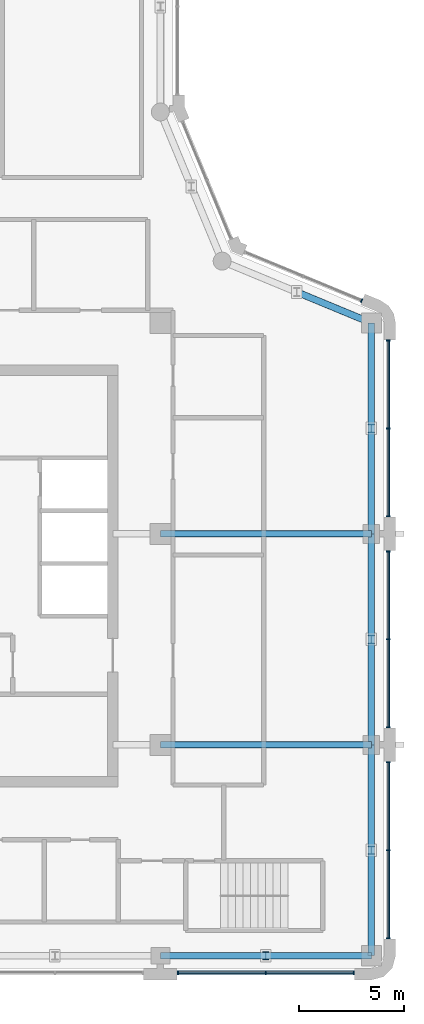
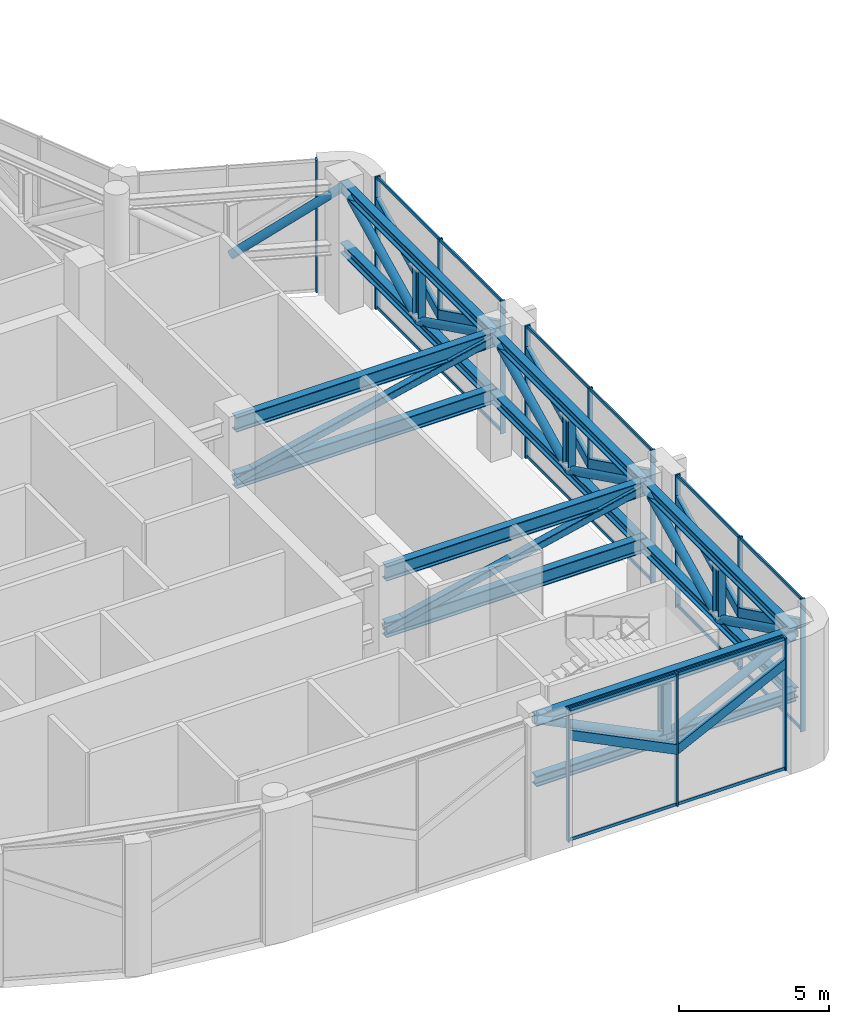
# One storey, part 5 of 18: 64 members, 5 elements without a shape of their own.
"""IFC4 building model written with IfcOpenShell, lengths in metres."""

from ifc_helpers import new_model, si_unit, direction, frame, origin, origin_2d, place, context, subcontext, project, spatial, polyline, rectangle, hollow_rectangle, hollow_circle, i_section, outline, extrude, material, layer, layer_set, material_profile, profile_set, type_object, element, aggregate, save


model = new_model("IFC4")

# Units and contexts
model_context = context("Model", 3, precision=1e-05, world=origin(), true_north=direction((0.0, 1.0)))
body_context = subcontext(model_context, "Body", "Model", "MODEL_VIEW")
ifc_project = project(units=[si_unit("LENGTHUNIT", "METRE"), si_unit("AREAUNIT", "SQUARE_METRE"), si_unit("VOLUMEUNIT", "CUBIC_METRE"), si_unit("PLANEANGLEUNIT", "RADIAN"), si_unit("MASSUNIT", "GRAM", prefix="KILO")], contexts=[model_context])

# Site, building, storey
site_placement = place(None, origin())
site = spatial("IfcSite", under=ifc_project, at=site_placement, CompositionType="ELEMENT")
building_placement = place(site_placement, origin())
building = spatial("IfcBuilding", under=site, at=building_placement, Name="Qaws Garden Tower", CompositionType="ELEMENT")
storey_placement = place(building_placement, frame((0.0, 0.0, 352.800048828125)))
storey = spatial("IfcBuildingStorey", under=building, at=storey_placement, Name="L86", CompositionType="ELEMENT", Elevation=352.800048828125)

# Members
ifc_material_1 = material(Name="Steel S355", Category="steel")
ifc_material_profile_1 = material_profile(ifc_material_1, i_section(OverallWidth=0.306884765625, OverallDepth=0.431884765625, WebThickness=0.02099609375, FlangeThickness=0.0400390625, FilletRadius=0.027099609375, at=origin_2d()), Name="HEM 400")
ifc_profile_set_1 = profile_set([ifc_material_profile_1], Name="Steel S355")
member_type_1 = type_object("IfcMemberType", Name="Belt chord HEM 400", PredefinedType="CHORD", material=ifc_profile_set_1)
for number, where, z_axis, x_axis, name in (
    (1, (30.0, 0.0, 4.783935546875), (1.0, 0.0, 0.0), (0.0, 1.0, 0.0), "Belt truss top chord 2"),
    (2, (30.0, 0.0, 2.31591796875), (1.0, 0.0, 0.0), (0.0, 1.0, 0.0), "Belt truss bottom chord 2"),
    (3, (40.0, 0.0, 4.783935546875), (0.0, 1.0, 0.0), (-1.0, 0.0, 0.0), "Belt truss top chord 3"),
    (4, (40.0, 0.0, 2.31591796875), (0.0, 1.0, 0.0), (-1.0, 0.0, 0.0), "Belt truss bottom chord 3"),
    (5, (40.0, 10.0, 4.783935546875), (0.0, 1.0, 0.0), (-1.0, 0.0, 0.0), "Belt truss top chord 4"),
    (6, (40.0, 10.0, 2.31591796875), (0.0, 1.0, 0.0), (-1.0, 0.0, 0.0), "Belt truss bottom chord 4"),
    (7, (40.0, 20.0, 4.783935546875), (0.0, 1.0, 0.0), (-1.0, 0.0, 0.0), "Belt truss top chord 5"),
    (8, (40.0, 20.0, 2.31591796875), (0.0, 1.0, 0.0), (-1.0, 0.0, 0.0), "Belt truss bottom chord 5"),
):
    element("IfcMember", number, at=place(storey_placement, frame(where, z_axis=z_axis, x_axis=x_axis)), inside=storey, type_object=member_type_1, Name=name, PredefinedType="CHORD", context=body_context, shape_type="SweptSolid", body=[
        extrude(i_section(OverallWidth=0.306884765625, OverallDepth=0.431884765625, WebThickness=0.02099609375, FlangeThickness=0.0400390625, FilletRadius=0.027099609375, at=origin_2d()), origin(), (0.0, 0.0, 1.0), 10.0),
    ])
ifc_material_2 = material(Name="Steel S355", Category="steel")
ifc_material_profile_2 = material_profile(ifc_material_2, hollow_circle(Radius=0.161865234375, WallThickness=0.01611328125, at=origin_2d()), Name="CHS 323.9x16")
ifc_profile_set_2 = profile_set([ifc_material_profile_2], Name="Steel S355")
member_type_2 = type_object("IfcMemberType", Name="Belt diagonal CHS 323.9x16", PredefinedType="BRACE", material=ifc_profile_set_2)
for number, where, z_axis, x_axis, name in (
    (9, (30.0, 0.0, 4.783935546875), (0.896709736444, 0.0, -0.442619078404), (0.0, 1.0, 0.0), "Belt truss diagonal 2a"),
    (10, (35.0, 0.0, 2.31591796875), (0.896709736444, 0.0, 0.442619078404), (0.0, 1.0, 0.0), "Belt truss diagonal 2b"),
    (11, (40.0, 0.0, 4.783935546875), (0.0, 0.896709736444, -0.442619078404), (-1.0, 0.0, 0.0), "Belt truss diagonal 3a"),
    (12, (40.0, 5.0, 2.31591796875), (0.0, 0.896709736444, 0.442619078404), (-1.0, 0.0, 0.0), "Belt truss diagonal 3b"),
    (13, (40.0, 10.0, 4.783935546875), (0.0, 0.896709736444, -0.442619078404), (-1.0, 0.0, 0.0), "Belt truss diagonal 4a"),
    (14, (40.0, 15.0, 2.31591796875), (0.0, 0.896709736444, 0.442619078404), (-1.0, 0.0, 0.0), "Belt truss diagonal 4b"),
    (15, (40.0, 20.0, 4.783935546875), (0.0, 0.896709736444, -0.442619078404), (-1.0, 0.0, 0.0), "Belt truss diagonal 5a"),
    (16, (40.0, 25.0, 2.31591796875), (0.0, 0.896709736444, 0.442619078404), (-1.0, 0.0, 0.0), "Belt truss diagonal 5b"),
):
    element("IfcMember", number, at=place(storey_placement, frame(where, z_axis=z_axis, x_axis=x_axis)), inside=storey, type_object=member_type_2, Name=name, PredefinedType="BRACE", context=body_context, shape_type="SweptSolid", body=[
        extrude(hollow_circle(Radius=0.161865234375, WallThickness=0.01611328125, at=origin_2d()), origin(), (0.0, 0.0, 1.0), 5.575927734375),
    ])
member_1_placement = place(storey_placement, frame((40.0, 30.0, 4.783935546875), z_axis=(-0.776432480604, 0.321574507572, -0.541980109545), x_axis=(-0.382648537851, -0.92389398552, 0.0)))
element("IfcMember", 17, at=member_1_placement, inside=storey, type_object=member_type_2, Name="Belt truss diagonal 6a", PredefinedType="BRACE", context=body_context, shape_type="SweptSolid", body=[
    extrude(hollow_circle(Radius=0.161865234375, WallThickness=0.01611328125, at=origin_2d()), origin(), (0.0, 0.0, 1.0), 4.5537109375),
])
ifc_material_3 = material(Name="Steel S355", Category="steel")
ifc_material_profile_3 = material_profile(ifc_material_3, i_section(OverallWidth=0.300048828125, OverallDepth=0.39990234375, WebThickness=0.013427734375, FlangeThickness=0.02392578125, FilletRadius=0.027099609375, at=origin_2d()), Name="HEB 400")
ifc_profile_set_3 = profile_set([ifc_material_profile_3], Name="Steel S355")
member_type_3 = type_object("IfcMemberType", Name="Belt post HEB 400", PredefinedType="POST", material=ifc_profile_set_3)
for number, where, z_axis, x_axis, name in (
    (18, (35.0, 0.0, 2.531982421875), (0.0, 0.0, 1.0), (1.0, 0.0, 0.0), "Belt truss post 2"),
    (19, (40.0, 5.0, 2.531982421875), (0.0, 0.0, 1.0), (1.0, 0.0, 0.0), "Belt truss post 3"),
    (20, (40.0, 15.0, 2.531982421875), (0.0, 0.0, 1.0), (1.0, 0.0, 0.0), "Belt truss post 4"),
    (21, (40.0, 25.0, 2.531982421875), (0.0, 0.0, 1.0), (1.0, 0.0, 0.0), "Belt truss post 5"),
):
    element("IfcMember", number, at=place(storey_placement, frame(where, z_axis=z_axis, x_axis=x_axis)), inside=storey, type_object=member_type_3, Name=name, PredefinedType="POST", context=body_context, shape_type="SweptSolid", body=[
        extrude(i_section(OverallWidth=0.300048828125, OverallDepth=0.39990234375, WebThickness=0.013427734375, FlangeThickness=0.02392578125, FilletRadius=0.027099609375, at=origin_2d()), origin(), (0.0, 0.0, 1.0), 2.035888671875),
    ])

# Curtain wall, members
ifc_material_4 = material(Name="Anodised aluminium curtain wall frame", Category="aluminium")
ifc_layer = layer(ifc_material_4, 0.159912109375)
ifc_layer_set = layer_set([ifc_layer], Name="Anodised aluminium curtain wall frame")
curtain_wall_type = type_object("IfcCurtainWallType", Name="CW6 plant floor louvre glazing curtain wall", PredefinedType="NOTDEFINED", material=ifc_layer_set)
placement_1 = place(storey_placement, origin())
curtain_wall_1 = element("IfcCurtainWall", 22, at=placement_1, inside=storey, type_object=curtain_wall_type, Name="CW6 Plant floor louvre glazing 01", PredefinedType="NOTDEFINED")
ifc_material_5 = material(Name="Anodised aluminium curtain wall frame", Category="aluminium")
ifc_material_profile_4 = material_profile(ifc_material_5, rectangle(XDim=0.179931640625, YDim=0.360107421875, at=origin_2d()), Name="AL 180x360")
ifc_profile_set_4 = profile_set([ifc_material_profile_4], Name="Anodised aluminium curtain wall frame")
member_type_4 = type_object("IfcMemberType", Name="CW6 inclined transom 360 x 180", PredefinedType="USERDEFINED", material=ifc_profile_set_4)
placement_2 = place(storey_placement, frame((30.800048828125, -0.800048828125, 0.119873046875), z_axis=(0.0, 0.0, 1.0), x_axis=(1.0, 0.0, 0.0)))
member_2 = element("IfcMember", 23, at=placement_2, type_object=member_type_4, Name="CW6 inclined transom 1.1", ObjectType="TRANSOM", PredefinedType="USERDEFINED", context=body_context, shape_type="SweptSolid", body=[
    extrude(outline(polyline([(0.06005859375, 4.038818359375), (4.169921875, 2.01025390625), (4.169921875, 2.41162109375), (0.06005859375, 4.440185546875), (0.06005859375, 4.038818359375)])), frame((0.0, 0.08984375, 0.0), z_axis=(0.0, -1.0, 0.0), x_axis=(1.0, 0.0, 0.0)), (0.0, 0.0, 1.0), 0.179931640625),
])
member_3 = element("IfcMember", 24, at=placement_2, type_object=member_type_4, Name="CW6 inclined transom 2.1", ObjectType="TRANSOM", PredefinedType="USERDEFINED", context=body_context, shape_type="SweptSolid", body=[
    extrude(outline(polyline([(4.22998046875, 2.01025390625), (8.340087890625, 4.038818359375), (8.340087890625, 4.440185546875), (4.22998046875, 2.41162109375), (4.22998046875, 2.01025390625)])), frame((0.0, 0.08984375, 0.0), z_axis=(0.0, -1.0, 0.0), x_axis=(1.0, 0.0, 0.0)), (0.0, 0.0, 1.0), 0.179931640625),
])

curtain_wall_2 = element("IfcCurtainWall", 25, at=placement_1, inside=storey, type_object=curtain_wall_type, Name="CW6 Plant floor louvre glazing 02", PredefinedType="NOTDEFINED")
placement_3 = place(storey_placement, frame((40.800048828125, 0.800048828125, 0.119873046875), z_axis=(0.0, 0.0, 1.0), x_axis=(0.0, 1.0, 0.0)))
member_4 = element("IfcMember", 26, at=placement_3, type_object=member_type_4, Name="CW6 inclined transom 1.1", ObjectType="TRANSOM", PredefinedType="USERDEFINED", context=body_context, shape_type="SweptSolid", body=[
    extrude(outline(polyline([(0.06005859375, 4.038818359375), (4.169921875, 2.01025390625), (4.169921875, 2.41162109375), (0.06005859375, 4.440185546875), (0.06005859375, 4.038818359375)])), frame((0.0, 0.08984375, 0.0), z_axis=(0.0, -1.0, 0.0), x_axis=(1.0, 0.0, 0.0)), (0.0, 0.0, 1.0), 0.179931640625),
])
member_5 = element("IfcMember", 27, at=placement_3, type_object=member_type_4, Name="CW6 inclined transom 2.1", ObjectType="TRANSOM", PredefinedType="USERDEFINED", context=body_context, shape_type="SweptSolid", body=[
    extrude(outline(polyline([(4.22998046875, 2.01025390625), (8.340087890625, 4.038818359375), (8.340087890625, 4.440185546875), (4.22998046875, 2.41162109375), (4.22998046875, 2.01025390625)])), frame((0.0, 0.08984375, 0.0), z_axis=(0.0, -1.0, 0.0), x_axis=(1.0, 0.0, 0.0)), (0.0, 0.0, 1.0), 0.179931640625),
])

curtain_wall_3 = element("IfcCurtainWall", 28, at=placement_1, inside=storey, type_object=curtain_wall_type, Name="CW6 Plant floor louvre glazing 03", PredefinedType="NOTDEFINED")
placement_4 = place(storey_placement, frame((40.800048828125, 10.800048828125, 0.119873046875), z_axis=(0.0, 0.0, 1.0), x_axis=(0.0, 1.0, 0.0)))
member_6 = element("IfcMember", 29, at=placement_4, type_object=member_type_4, Name="CW6 inclined transom 1.1", ObjectType="TRANSOM", PredefinedType="USERDEFINED", context=body_context, shape_type="SweptSolid", body=[
    extrude(outline(polyline([(0.06005859375, 4.038818359375), (4.169921875, 2.01025390625), (4.169921875, 2.41162109375), (0.06005859375, 4.440185546875), (0.06005859375, 4.038818359375)])), frame((0.0, 0.08984375, 0.0), z_axis=(0.0, -1.0, 0.0), x_axis=(1.0, 0.0, 0.0)), (0.0, 0.0, 1.0), 0.179931640625),
])
member_7 = element("IfcMember", 30, at=placement_4, type_object=member_type_4, Name="CW6 inclined transom 2.1", ObjectType="TRANSOM", PredefinedType="USERDEFINED", context=body_context, shape_type="SweptSolid", body=[
    extrude(outline(polyline([(4.22998046875, 2.01025390625), (8.340087890625, 4.038818359375), (8.340087890625, 4.440185546875), (4.22998046875, 2.41162109375), (4.22998046875, 2.01025390625)])), frame((0.0, 0.08984375, 0.0), z_axis=(0.0, -1.0, 0.0), x_axis=(1.0, 0.0, 0.0)), (0.0, 0.0, 1.0), 0.179931640625),
])

curtain_wall_4 = element("IfcCurtainWall", 31, at=placement_1, inside=storey, type_object=curtain_wall_type, Name="CW6 Plant floor louvre glazing 04", PredefinedType="NOTDEFINED")
placement_5 = place(storey_placement, frame((40.800048828125, 20.800048828125, 0.119873046875), z_axis=(0.0, 0.0, 1.0), x_axis=(0.0, 1.0, 0.0)))
member_8 = element("IfcMember", 32, at=placement_5, type_object=member_type_4, Name="CW6 inclined transom 1.1", ObjectType="TRANSOM", PredefinedType="USERDEFINED", context=body_context, shape_type="SweptSolid", body=[
    extrude(outline(polyline([(0.06005859375, 4.038818359375), (4.169921875, 2.01025390625), (4.169921875, 2.41162109375), (0.06005859375, 4.440185546875), (0.06005859375, 4.038818359375)])), frame((0.0, 0.08984375, 0.0), z_axis=(0.0, -1.0, 0.0), x_axis=(1.0, 0.0, 0.0)), (0.0, 0.0, 1.0), 0.179931640625),
])
member_9 = element("IfcMember", 33, at=placement_5, type_object=member_type_4, Name="CW6 inclined transom 2.1", ObjectType="TRANSOM", PredefinedType="USERDEFINED", context=body_context, shape_type="SweptSolid", body=[
    extrude(outline(polyline([(4.22998046875, 2.01025390625), (8.340087890625, 4.038818359375), (8.340087890625, 4.440185546875), (4.22998046875, 2.41162109375), (4.22998046875, 2.01025390625)])), frame((0.0, 0.08984375, 0.0), z_axis=(0.0, -1.0, 0.0), x_axis=(1.0, 0.0, 0.0)), (0.0, 0.0, 1.0), 0.179931640625),
])

# Member
ifc_material_6 = material(Name="Anodised aluminium curtain wall frame", Category="aluminium")
ifc_material_profile_5 = material_profile(ifc_material_6, rectangle(XDim=0.179931640625, YDim=0.06005859375, at=origin_2d()), Name="AL 60x180")
ifc_profile_set_5 = profile_set([ifc_material_profile_5], Name="Anodised aluminium curtain wall frame")
member_type_5 = type_object("IfcMemberType", Name="CW6 mullion 60 x 180", PredefinedType="MULLION", material=ifc_profile_set_5)
member_10_placement = place(storey_placement, frame((30.830078125, -0.800048828125, 0.0), z_axis=(0.0, 0.0, 1.0), x_axis=(0.0, 1.0, 0.0)))
member_10 = element("IfcMember", 34, at=member_10_placement, type_object=member_type_5, Name="CW6 mullion 1", PredefinedType="MULLION", context=body_context, shape_type="SweptSolid", body=[
    extrude(rectangle(XDim=0.179931640625, YDim=0.06005859375, at=origin_2d()), origin(), (0.0, 0.0, 1.0), 5.39990234375),
])

member_11_placement = place(storey_placement, frame((35.0, -0.800048828125, 0.0), z_axis=(0.0, 0.0, 1.0), x_axis=(0.0, 1.0, 0.0)))
member_11 = element("IfcMember", 35, at=member_11_placement, type_object=member_type_5, Name="CW6 mullion 2", PredefinedType="MULLION", context=body_context, shape_type="SweptSolid", body=[
    extrude(rectangle(XDim=0.179931640625, YDim=0.06005859375, at=origin_2d()), origin(), (0.0, 0.0, 1.0), 5.39990234375),
])

member_12_placement = place(storey_placement, frame((39.169921875, -0.800048828125, 0.0), z_axis=(0.0, 0.0, 1.0), x_axis=(0.0, 1.0, 0.0)))
member_12 = element("IfcMember", 36, at=member_12_placement, type_object=member_type_5, Name="CW6 mullion 3", PredefinedType="MULLION", context=body_context, shape_type="SweptSolid", body=[
    extrude(rectangle(XDim=0.179931640625, YDim=0.06005859375, at=origin_2d()), origin(), (0.0, 0.0, 1.0), 5.39990234375),
])

member_13_placement = place(storey_placement, frame((40.800048828125, 0.830078125, 0.0), z_axis=(0.0, 0.0, 1.0), x_axis=(-1.0, 0.0, 0.0)))
member_13 = element("IfcMember", 37, at=member_13_placement, type_object=member_type_5, Name="CW6 mullion 1", PredefinedType="MULLION", context=body_context, shape_type="SweptSolid", body=[
    extrude(rectangle(XDim=0.179931640625, YDim=0.06005859375, at=origin_2d()), origin(), (0.0, 0.0, 1.0), 5.39990234375),
])

member_14_placement = place(storey_placement, frame((40.800048828125, 5.0, 0.0), z_axis=(0.0, 0.0, 1.0), x_axis=(-1.0, 0.0, 0.0)))
member_14 = element("IfcMember", 38, at=member_14_placement, type_object=member_type_5, Name="CW6 mullion 2", PredefinedType="MULLION", context=body_context, shape_type="SweptSolid", body=[
    extrude(rectangle(XDim=0.179931640625, YDim=0.06005859375, at=origin_2d()), origin(), (0.0, 0.0, 1.0), 5.39990234375),
])

member_15_placement = place(storey_placement, frame((40.800048828125, 9.169921875, 0.0), z_axis=(0.0, 0.0, 1.0), x_axis=(-1.0, 0.0, 0.0)))
member_15 = element("IfcMember", 39, at=member_15_placement, type_object=member_type_5, Name="CW6 mullion 3", PredefinedType="MULLION", context=body_context, shape_type="SweptSolid", body=[
    extrude(rectangle(XDim=0.179931640625, YDim=0.06005859375, at=origin_2d()), origin(), (0.0, 0.0, 1.0), 5.39990234375),
])

member_16_placement = place(storey_placement, frame((40.800048828125, 10.830078125, 0.0), z_axis=(0.0, 0.0, 1.0), x_axis=(-1.0, 0.0, 0.0)))
member_16 = element("IfcMember", 40, at=member_16_placement, type_object=member_type_5, Name="CW6 mullion 1", PredefinedType="MULLION", context=body_context, shape_type="SweptSolid", body=[
    extrude(rectangle(XDim=0.179931640625, YDim=0.06005859375, at=origin_2d()), origin(), (0.0, 0.0, 1.0), 5.39990234375),
])

member_17_placement = place(storey_placement, frame((40.800048828125, 15.0, 0.0), z_axis=(0.0, 0.0, 1.0), x_axis=(-1.0, 0.0, 0.0)))
member_17 = element("IfcMember", 41, at=member_17_placement, type_object=member_type_5, Name="CW6 mullion 2", PredefinedType="MULLION", context=body_context, shape_type="SweptSolid", body=[
    extrude(rectangle(XDim=0.179931640625, YDim=0.06005859375, at=origin_2d()), origin(), (0.0, 0.0, 1.0), 5.39990234375),
])

member_18_placement = place(storey_placement, frame((40.800048828125, 19.169921875, 0.0), z_axis=(0.0, 0.0, 1.0), x_axis=(-1.0, 0.0, 0.0)))
member_18 = element("IfcMember", 42, at=member_18_placement, type_object=member_type_5, Name="CW6 mullion 3", PredefinedType="MULLION", context=body_context, shape_type="SweptSolid", body=[
    extrude(rectangle(XDim=0.179931640625, YDim=0.06005859375, at=origin_2d()), origin(), (0.0, 0.0, 1.0), 5.39990234375),
])

member_19_placement = place(storey_placement, frame((40.800048828125, 20.830078125, 0.0), z_axis=(0.0, 0.0, 1.0), x_axis=(-1.0, 0.0, 0.0)))
member_19 = element("IfcMember", 43, at=member_19_placement, type_object=member_type_5, Name="CW6 mullion 1", PredefinedType="MULLION", context=body_context, shape_type="SweptSolid", body=[
    extrude(rectangle(XDim=0.179931640625, YDim=0.06005859375, at=origin_2d()), origin(), (0.0, 0.0, 1.0), 5.39990234375),
])

member_20_placement = place(storey_placement, frame((40.800048828125, 25.0, 0.0), z_axis=(0.0, 0.0, 1.0), x_axis=(-1.0, 0.0, 0.0)))
member_20 = element("IfcMember", 44, at=member_20_placement, type_object=member_type_5, Name="CW6 mullion 2", PredefinedType="MULLION", context=body_context, shape_type="SweptSolid", body=[
    extrude(rectangle(XDim=0.179931640625, YDim=0.06005859375, at=origin_2d()), origin(), (0.0, 0.0, 1.0), 5.39990234375),
])

member_21_placement = place(storey_placement, frame((40.800048828125, 29.169921875, 0.0), z_axis=(0.0, 0.0, 1.0), x_axis=(-1.0, 0.0, 0.0)))
member_21 = element("IfcMember", 45, at=member_21_placement, type_object=member_type_5, Name="CW6 mullion 3", PredefinedType="MULLION", context=body_context, shape_type="SweptSolid", body=[
    extrude(rectangle(XDim=0.179931640625, YDim=0.06005859375, at=origin_2d()), origin(), (0.0, 0.0, 1.0), 5.39990234375),
])

# Curtain wall, member
curtain_wall_5 = element("IfcCurtainWall", 46, at=placement_1, inside=storey, type_object=curtain_wall_type, Name="CW6 Plant floor louvre glazing 05", PredefinedType="NOTDEFINED")
member_22_placement = place(storey_placement, frame((39.539306640625, 31.056640625, 0.0), z_axis=(0.0, 0.0, 1.0), x_axis=(-0.382683432301, -0.923879532538, 0.0)))
member_22 = element("IfcMember", 47, at=member_22_placement, type_object=member_type_5, Name="CW6 mullion 1", PredefinedType="MULLION", context=body_context, shape_type="SweptSolid", body=[
    extrude(rectangle(XDim=0.179931640625, YDim=0.06005859375, at=origin_2d()), origin(), (0.0, 0.0, 1.0), 5.39990234375),
])
aggregate(curtain_wall_5, [member_22])

# Member
ifc_material_7 = material(Name="Anodised aluminium curtain wall frame", Category="aluminium")
ifc_material_profile_6 = material_profile(ifc_material_7, rectangle(XDim=0.06005859375, YDim=0.1201171875, at=origin_2d()), Name="AL 60x120")
ifc_profile_set_6 = profile_set([ifc_material_profile_6], Name="Anodised aluminium curtain wall frame")
member_type_6 = type_object("IfcMemberType", Name="CW6 transom 120 x 60", PredefinedType="USERDEFINED", material=ifc_profile_set_6)
member_23_placement = place(storey_placement, frame((30.860107421875, -0.800048828125, 0.06005859375), z_axis=(1.0, 0.0, 0.0), x_axis=(0.0, 1.0, 0.0)))
member_23 = element("IfcMember", 48, at=member_23_placement, type_object=member_type_6, Name="CW6 transom 1.1", ObjectType="TRANSOM", PredefinedType="USERDEFINED", context=body_context, shape_type="SweptSolid", body=[
    extrude(rectangle(XDim=0.06005859375, YDim=0.1201171875, at=origin_2d()), origin(), (0.0, 0.0, 1.0), 4.10986328125),
])

member_24_placement = place(storey_placement, frame((30.860107421875, -0.800048828125, 5.33984375), z_axis=(1.0, 0.0, 0.0), x_axis=(0.0, 1.0, 0.0)))
member_24 = element("IfcMember", 49, at=member_24_placement, type_object=member_type_6, Name="CW6 transom 1.2", ObjectType="TRANSOM", PredefinedType="USERDEFINED", context=body_context, shape_type="SweptSolid", body=[
    extrude(rectangle(XDim=0.06005859375, YDim=0.1201171875, at=origin_2d()), origin(), (0.0, 0.0, 1.0), 4.10986328125),
])

member_25_placement = place(storey_placement, frame((35.030029296875, -0.800048828125, 0.06005859375), z_axis=(1.0, 0.0, 0.0), x_axis=(0.0, 1.0, 0.0)))
member_25 = element("IfcMember", 50, at=member_25_placement, type_object=member_type_6, Name="CW6 transom 2.1", ObjectType="TRANSOM", PredefinedType="USERDEFINED", context=body_context, shape_type="SweptSolid", body=[
    extrude(rectangle(XDim=0.06005859375, YDim=0.1201171875, at=origin_2d()), origin(), (0.0, 0.0, 1.0), 4.10986328125),
])

member_26_placement = place(storey_placement, frame((35.030029296875, -0.800048828125, 5.33984375), z_axis=(1.0, 0.0, 0.0), x_axis=(0.0, 1.0, 0.0)))
member_26 = element("IfcMember", 51, at=member_26_placement, type_object=member_type_6, Name="CW6 transom 2.2", ObjectType="TRANSOM", PredefinedType="USERDEFINED", context=body_context, shape_type="SweptSolid", body=[
    extrude(rectangle(XDim=0.06005859375, YDim=0.1201171875, at=origin_2d()), origin(), (0.0, 0.0, 1.0), 4.10986328125),
])

aggregate(curtain_wall_1, [member_10, member_11, member_12, member_23, member_24, member_2, member_25, member_26, member_3])

member_27_placement = place(storey_placement, frame((40.800048828125, 0.860107421875, 0.06005859375), z_axis=(0.0, 1.0, 0.0), x_axis=(-1.0, 0.0, 0.0)))
member_27 = element("IfcMember", 52, at=member_27_placement, type_object=member_type_6, Name="CW6 transom 1.1", ObjectType="TRANSOM", PredefinedType="USERDEFINED", context=body_context, shape_type="SweptSolid", body=[
    extrude(rectangle(XDim=0.06005859375, YDim=0.1201171875, at=origin_2d()), origin(), (0.0, 0.0, 1.0), 4.10986328125),
])

member_28_placement = place(storey_placement, frame((40.800048828125, 0.860107421875, 5.33984375), z_axis=(0.0, 1.0, 0.0), x_axis=(-1.0, 0.0, 0.0)))
member_28 = element("IfcMember", 53, at=member_28_placement, type_object=member_type_6, Name="CW6 transom 1.2", ObjectType="TRANSOM", PredefinedType="USERDEFINED", context=body_context, shape_type="SweptSolid", body=[
    extrude(rectangle(XDim=0.06005859375, YDim=0.1201171875, at=origin_2d()), origin(), (0.0, 0.0, 1.0), 4.10986328125),
])

member_29_placement = place(storey_placement, frame((40.800048828125, 5.030029296875, 0.06005859375), z_axis=(0.0, 1.0, 0.0), x_axis=(-1.0, 0.0, 0.0)))
member_29 = element("IfcMember", 54, at=member_29_placement, type_object=member_type_6, Name="CW6 transom 2.1", ObjectType="TRANSOM", PredefinedType="USERDEFINED", context=body_context, shape_type="SweptSolid", body=[
    extrude(rectangle(XDim=0.06005859375, YDim=0.1201171875, at=origin_2d()), origin(), (0.0, 0.0, 1.0), 4.10986328125),
])

member_30_placement = place(storey_placement, frame((40.800048828125, 5.030029296875, 5.33984375), z_axis=(0.0, 1.0, 0.0), x_axis=(-1.0, 0.0, 0.0)))
member_30 = element("IfcMember", 55, at=member_30_placement, type_object=member_type_6, Name="CW6 transom 2.2", ObjectType="TRANSOM", PredefinedType="USERDEFINED", context=body_context, shape_type="SweptSolid", body=[
    extrude(rectangle(XDim=0.06005859375, YDim=0.1201171875, at=origin_2d()), origin(), (0.0, 0.0, 1.0), 4.10986328125),
])

aggregate(curtain_wall_2, [member_13, member_14, member_15, member_27, member_28, member_4, member_29, member_30, member_5])

member_31_placement = place(storey_placement, frame((40.800048828125, 10.860107421875, 0.06005859375), z_axis=(0.0, 1.0, 0.0), x_axis=(-1.0, 0.0, 0.0)))
member_31 = element("IfcMember", 56, at=member_31_placement, type_object=member_type_6, Name="CW6 transom 1.1", ObjectType="TRANSOM", PredefinedType="USERDEFINED", context=body_context, shape_type="SweptSolid", body=[
    extrude(rectangle(XDim=0.06005859375, YDim=0.1201171875, at=origin_2d()), origin(), (0.0, 0.0, 1.0), 4.10986328125),
])

member_32_placement = place(storey_placement, frame((40.800048828125, 10.860107421875, 5.33984375), z_axis=(0.0, 1.0, 0.0), x_axis=(-1.0, 0.0, 0.0)))
member_32 = element("IfcMember", 57, at=member_32_placement, type_object=member_type_6, Name="CW6 transom 1.2", ObjectType="TRANSOM", PredefinedType="USERDEFINED", context=body_context, shape_type="SweptSolid", body=[
    extrude(rectangle(XDim=0.06005859375, YDim=0.1201171875, at=origin_2d()), origin(), (0.0, 0.0, 1.0), 4.10986328125),
])

member_33_placement = place(storey_placement, frame((40.800048828125, 15.030029296875, 0.06005859375), z_axis=(0.0, 1.0, 0.0), x_axis=(-1.0, 0.0, 0.0)))
member_33 = element("IfcMember", 58, at=member_33_placement, type_object=member_type_6, Name="CW6 transom 2.1", ObjectType="TRANSOM", PredefinedType="USERDEFINED", context=body_context, shape_type="SweptSolid", body=[
    extrude(rectangle(XDim=0.06005859375, YDim=0.1201171875, at=origin_2d()), origin(), (0.0, 0.0, 1.0), 4.10986328125),
])

member_34_placement = place(storey_placement, frame((40.800048828125, 15.030029296875, 5.33984375), z_axis=(0.0, 1.0, 0.0), x_axis=(-1.0, 0.0, 0.0)))
member_34 = element("IfcMember", 59, at=member_34_placement, type_object=member_type_6, Name="CW6 transom 2.2", ObjectType="TRANSOM", PredefinedType="USERDEFINED", context=body_context, shape_type="SweptSolid", body=[
    extrude(rectangle(XDim=0.06005859375, YDim=0.1201171875, at=origin_2d()), origin(), (0.0, 0.0, 1.0), 4.10986328125),
])

aggregate(curtain_wall_3, [member_16, member_17, member_18, member_31, member_32, member_6, member_33, member_34, member_7])

member_35_placement = place(storey_placement, frame((40.800048828125, 20.860107421875, 0.06005859375), z_axis=(0.0, 1.0, 0.0), x_axis=(-1.0, 0.0, 0.0)))
member_35 = element("IfcMember", 60, at=member_35_placement, type_object=member_type_6, Name="CW6 transom 1.1", ObjectType="TRANSOM", PredefinedType="USERDEFINED", context=body_context, shape_type="SweptSolid", body=[
    extrude(rectangle(XDim=0.06005859375, YDim=0.1201171875, at=origin_2d()), origin(), (0.0, 0.0, 1.0), 4.10986328125),
])

member_36_placement = place(storey_placement, frame((40.800048828125, 20.860107421875, 5.33984375), z_axis=(0.0, 1.0, 0.0), x_axis=(-1.0, 0.0, 0.0)))
member_36 = element("IfcMember", 61, at=member_36_placement, type_object=member_type_6, Name="CW6 transom 1.2", ObjectType="TRANSOM", PredefinedType="USERDEFINED", context=body_context, shape_type="SweptSolid", body=[
    extrude(rectangle(XDim=0.06005859375, YDim=0.1201171875, at=origin_2d()), origin(), (0.0, 0.0, 1.0), 4.10986328125),
])

member_37_placement = place(storey_placement, frame((40.800048828125, 25.030029296875, 0.06005859375), z_axis=(0.0, 1.0, 0.0), x_axis=(-1.0, 0.0, 0.0)))
member_37 = element("IfcMember", 62, at=member_37_placement, type_object=member_type_6, Name="CW6 transom 2.1", ObjectType="TRANSOM", PredefinedType="USERDEFINED", context=body_context, shape_type="SweptSolid", body=[
    extrude(rectangle(XDim=0.06005859375, YDim=0.1201171875, at=origin_2d()), origin(), (0.0, 0.0, 1.0), 4.10986328125),
])

member_38_placement = place(storey_placement, frame((40.800048828125, 25.030029296875, 5.33984375), z_axis=(0.0, 1.0, 0.0), x_axis=(-1.0, 0.0, 0.0)))
member_38 = element("IfcMember", 63, at=member_38_placement, type_object=member_type_6, Name="CW6 transom 2.2", ObjectType="TRANSOM", PredefinedType="USERDEFINED", context=body_context, shape_type="SweptSolid", body=[
    extrude(rectangle(XDim=0.06005859375, YDim=0.1201171875, at=origin_2d()), origin(), (0.0, 0.0, 1.0), 4.10986328125),
])

aggregate(curtain_wall_4, [member_19, member_20, member_21, member_35, member_36, member_8, member_37, member_38, member_9])

# Members
ifc_material_8 = material(Name="Steel S355", Category="steel")
ifc_material_profile_7 = material_profile(ifc_material_8, i_section(OverallWidth=0.300048828125, OverallDepth=0.60009765625, WebThickness=0.015380859375, FlangeThickness=0.030029296875, FilletRadius=0.027099609375, at=origin_2d()), Name="HEB 600")
ifc_profile_set_7 = profile_set([ifc_material_profile_7], Name="Steel S355")
member_type_7 = type_object("IfcMemberType", Name="Outrigger chord HEB 600", PredefinedType="CHORD", material=ifc_profile_set_7)
for number, where, z_axis, x_axis, name in (
    (64, (30.0, 10.0, 4.699951171875), (1.0, 0.0, 0.0), (0.0, 1.0, 0.0), "Outrigger 1 top chord 2"),
    (65, (30.0, 10.0, 2.39990234375), (1.0, 0.0, 0.0), (0.0, 1.0, 0.0), "Outrigger 1 bottom chord 2"),
    (66, (30.0, 20.0, 4.699951171875), (1.0, 0.0, 0.0), (0.0, 1.0, 0.0), "Outrigger 2 top chord 2"),
    (67, (30.0, 20.0, 2.39990234375), (1.0, 0.0, 0.0), (0.0, 1.0, 0.0), "Outrigger 2 bottom chord 2"),
):
    element("IfcMember", number, at=place(storey_placement, frame(where, z_axis=z_axis, x_axis=x_axis)), inside=storey, type_object=member_type_7, Name=name, PredefinedType="CHORD", context=body_context, shape_type="SweptSolid", body=[
        extrude(i_section(OverallWidth=0.300048828125, OverallDepth=0.60009765625, WebThickness=0.015380859375, FlangeThickness=0.030029296875, FilletRadius=0.027099609375, at=origin_2d()), origin(), (0.0, 0.0, 1.0), 10.0),
    ])
ifc_material_9 = material(Name="Steel S355", Category="steel")
ifc_material_profile_8 = material_profile(ifc_material_9, hollow_rectangle(XDim=0.300048828125, YDim=0.300048828125, WallThickness=0.01611328125, InnerFilletRadius=0.02392578125, OuterFilletRadius=0.0400390625, at=origin_2d()), Name="SHS 300x300x16")
ifc_profile_set_8 = profile_set([ifc_material_profile_8], Name="Steel S355")
member_type_8 = type_object("IfcMemberType", Name="Outrigger diagonal SHS 300x300x16", PredefinedType="BRACE", material=ifc_profile_set_8)
for number, where, z_axis, x_axis, name in (
    (68, (30.0, 10.0, 2.39990234375), (0.974554147123, 0.0, 0.224152212403), (0.0, 1.0, 0.0), "Outrigger 1 diagonal 2"),
    (69, (30.0, 20.0, 2.39990234375), (0.974554147123, 0.0, 0.224152212403), (0.0, 1.0, 0.0), "Outrigger 2 diagonal 2"),
):
    element("IfcMember", number, at=place(storey_placement, frame(where, z_axis=z_axis, x_axis=x_axis)), inside=storey, type_object=member_type_8, Name=name, PredefinedType="BRACE", context=body_context, shape_type="SweptSolid", body=[
        extrude(hollow_rectangle(XDim=0.300048828125, YDim=0.300048828125, WallThickness=0.01611328125, InnerFilletRadius=0.02392578125, OuterFilletRadius=0.0400390625, at=origin_2d()), origin(), (0.0, 0.0, 1.0), 10.260986328125),
    ])

save(model, "model.ifc")
